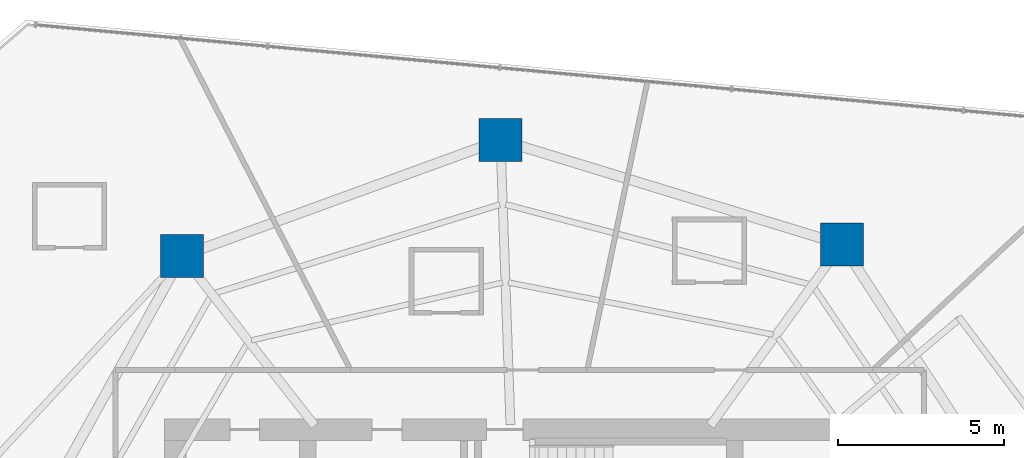
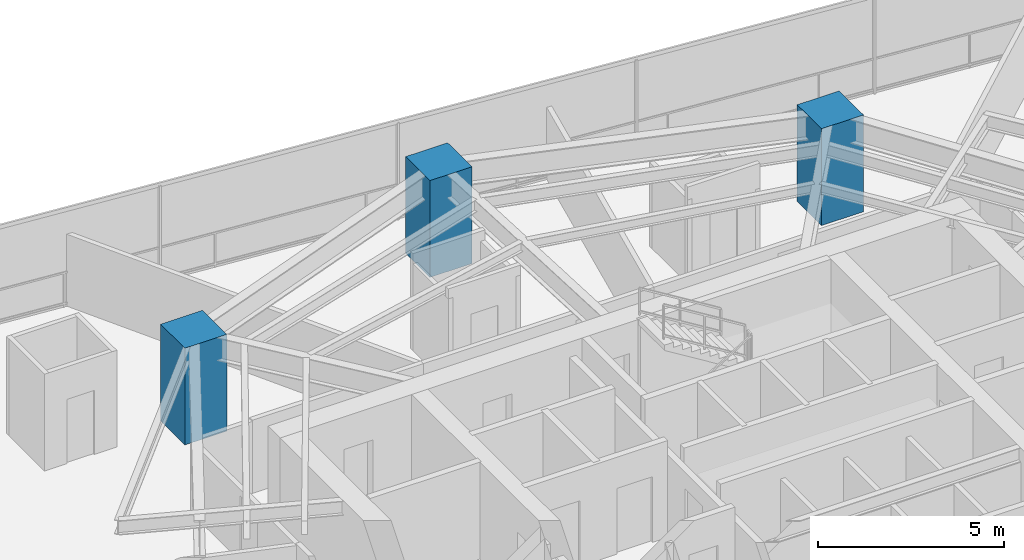
# One storey, part 2 of 30: 3 columns.
"""IFC4 building model written with IfcOpenShell, lengths in metres."""

from ifc_helpers import new_model, si_unit, direction, frame, origin, origin_2d, place, context, subcontext, project, spatial, rectangle, extrude, material, material_profile, profile_set, type_object, element, save


model = new_model("IFC4")

# Units and contexts
model_context = context("Model", 3, precision=1e-05, world=origin(), true_north=direction((0.0, 1.0)))
body_context = subcontext(model_context, "Body", "Model", "MODEL_VIEW")
ifc_project = project(units=[si_unit("LENGTHUNIT", "METRE"), si_unit("AREAUNIT", "SQUARE_METRE"), si_unit("VOLUMEUNIT", "CUBIC_METRE"), si_unit("PLANEANGLEUNIT", "RADIAN"), si_unit("MASSUNIT", "GRAM", prefix="KILO")], contexts=[model_context])

# Site, building, storey
site_placement = place(None, origin())
site = spatial("IfcSite", under=ifc_project, at=site_placement, CompositionType="ELEMENT")
building_placement = place(site_placement, origin())
building = spatial("IfcBuilding", under=site, at=building_placement, Name="Qarnah Convention Tower", CompositionType="ELEMENT")
storey_placement = place(building_placement, frame((0.0, 0.0, 47.699951171875)))
storey = spatial("IfcBuildingStorey", under=building, at=storey_placement, Name="L11", CompositionType="ELEMENT", Elevation=47.699951171875)

# Columns
ifc_material = material(Name="Concrete C60/75", Category="concrete")
ifc_material_profile = material_profile(ifc_material, rectangle(XDim=1.300048828125, YDim=1.300048828125, at=origin_2d()), Name="RC-COL-1300X1300")
ifc_profile_set = profile_set([ifc_material_profile], Name="Concrete C60/75")
column_type = type_object("IfcColumnType", Name="COL-Z1-1300", PredefinedType="COLUMN", material=ifc_profile_set)
for number, where, z_axis, x_axis, name in (
    (1, (46.927978515625, 39.7890625, 0.0), (0.0, 0.0, 1.0), (1.0, 0.0, 0.0), "L11 plumb column PC-Z1-02"),
    (2, (36.6220703125, 42.93994140625, 0.0), (0.0, 0.0, 1.0), (1.0, 0.0, 0.0), "L11 plumb column PC-Z1-03"),
    (3, (27.010986328125, 39.44189453125, 0.0), (0.0, 0.0, 1.0), (1.0, 0.0, 0.0), "L11 plumb column PC-Z1-04"),
):
    element("IfcColumn", number, at=place(storey_placement, frame(where, z_axis=z_axis, x_axis=x_axis)), inside=storey, type_object=column_type, Name=name, PredefinedType="COLUMN", context=body_context, shape_type="SweptSolid", body=[
        extrude(rectangle(XDim=1.300048828125, YDim=1.300048828125, at=origin_2d()), origin(), (0.0, 0.0, 1.0), 3.170166015625),
    ])

save(model, "model.ifc")
